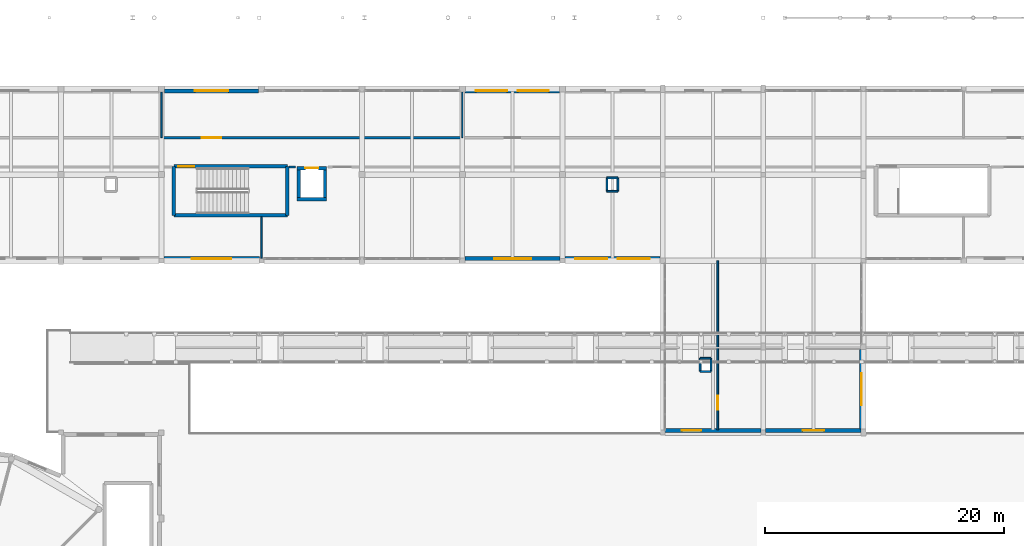
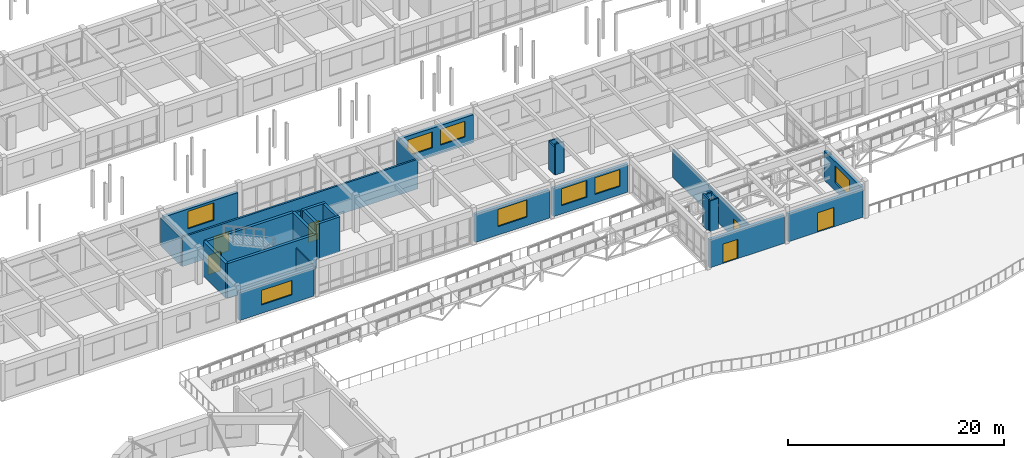
# One storey, part 69 of 90: 30 walls, 8 windows, 6 doors, 14 openings.
"""IFC4 building model written with IfcOpenShell, lengths in metres."""

from ifc_helpers import new_model, si_unit, direction, frame, frame_2d, origin, place, context, subcontext, project, spatial, rectangle, extrude, material, layer, layer_set, type_object, element, fill, save


model = new_model("IFC4")

# Units and contexts
model_context = context("Model", 3, precision=1e-05, world=origin(), true_north=direction((0.0, 1.0)))
body_context = subcontext(model_context, "Body", "Model", "MODEL_VIEW")
ifc_project = project(units=[si_unit("LENGTHUNIT", "METRE"), si_unit("AREAUNIT", "SQUARE_METRE"), si_unit("VOLUMEUNIT", "CUBIC_METRE"), si_unit("PLANEANGLEUNIT", "RADIAN"), si_unit("MASSUNIT", "GRAM", prefix="KILO")], contexts=[model_context])

# Site, building, storey
site_placement = place(None, origin())
site = spatial("IfcSite", under=ifc_project, at=site_placement, CompositionType="ELEMENT")
building_placement = place(site_placement, origin())
building = spatial("IfcBuilding", under=site, at=building_placement, Name="Malvenik Polytechnic", CompositionType="ELEMENT")
storey_placement = place(building_placement, frame((0.0, 0.0, 9.300048828125)))
storey = spatial("IfcBuildingStorey", under=building, at=storey_placement, Name="L02", CompositionType="ELEMENT", Elevation=9.300048828125)

# Wall
ifc_material_1 = material(Name="Concrete C35/45", Category="concrete")
ifc_layer_1 = layer(ifc_material_1, 0.280029296875)
ifc_layer_set_1 = layer_set([ifc_layer_1], Name="Concrete C35/45")
wall_type_1 = type_object("IfcWallType", Name="ARC-CW-S280", PredefinedType="SHEAR", material=ifc_layer_set_1)
wall_1_placement = place(storey_placement, frame((47.43994140625, 55.550048828125, 0.0), z_axis=(0.0, 0.0, 1.0), x_axis=(-1.0, 0.0, 0.0)))
element("IfcWall", 1, at=wall_1_placement, inside=storey, type_object=wall_type_1, Name="Lift Shaft Shear Wall LP-03 L02 -Y", PredefinedType="SHEAR", context=body_context, shape_type="SweptSolid", body=[
    extrude(rectangle(XDim=2.47998046875, YDim=0.280029296875, at=frame_2d((1.239990234375, 0.0))), origin(), (0.0, 0.0, 1.0), 3.93994140625),
])

# Wall, opening, door
wall_2_placement = place(storey_placement, frame((44.9599609375, 58.14990234375, 0.0), z_axis=(0.0, 0.0, 1.0), x_axis=(1.0, 0.0, 0.0)))
wall_2 = element("IfcWall", 2, at=wall_2_placement, inside=storey, type_object=wall_type_1, Name="Lift Shaft Shear Wall LP-03 L02 +Y", PredefinedType="SHEAR", context=body_context, shape_type="SweptSolid", body=[
    extrude(rectangle(XDim=2.47998046875, YDim=0.280029296875, at=frame_2d((1.239990234375, 0.0))), origin(), (0.0, 0.0, 1.0), 3.93994140625),
])
opening_1_placement = place(wall_2_placement, frame((0.68994140625, 0.0, 0.0)))
opening_1 = element("IfcOpeningElement", 3, at=opening_1_placement, cuts=wall_2, Name="Opening LD-01", PredefinedType="OPENING", context=body_context, shape_type="SweptSolid", body=[
    extrude(rectangle(XDim=1.10009765625, YDim=2.14990234375, at=frame_2d((0.550048828125, 1.074951171875))), frame((0.0, 0.14990234375, 0.0), z_axis=(0.0, -1.0, 0.0), x_axis=(1.0, 0.0, 0.0)), (0.0, 0.0, 1.0), 0.300048828125),
])
ifc_material_2 = material(Name="Stainless steel fire-rated sliding lift landing door", Category="steel")
door_type_1 = type_object("IfcDoorType", Name="ARC-LDR-LD-01", OperationType="NOTDEFINED", PredefinedType="DOOR", material=ifc_material_2)
door_1_placement = place(opening_1_placement, origin())
door_1 = element("IfcDoor", 4, at=door_1_placement, inside=storey, type_object=door_type_1, Name="Lift Sliding Landing Door LP-03 L02", OperationType="DOUBLE_DOOR_SLIDING", OverallHeight=2.14990234375, OverallWidth=1.10009765625, PredefinedType="DOOR", context=body_context, shape_type="SweptSolid", body=[
    extrude(rectangle(XDim=1.10009765625, YDim=2.14990234375, at=frame_2d((0.550048828125, 1.074951171875))), frame((0.0, 0.02490234375, 0.0), z_axis=(0.0, -1.0, 0.0), x_axis=(1.0, 0.0, 0.0)), (0.0, 0.0, 1.0), 0.050048828125),
])
fill(opening_1, door_1)

# Walls
for number, where, z_axis, x_axis, name in (
    (5, (45.10009765625, 55.409912109375, 0.0), (0.0, 0.0, 1.0), (0.0, 1.0, 0.0), "Lift Shaft Shear Wall LP-03 L02 -X"),
    (6, (47.300048828125, 58.2900390625, 0.0), (0.0, 0.0, 1.0), (0.0, -1.0, 0.0), "Lift Shaft Shear Wall LP-03 L02 +X"),
):
    element("IfcWall", number, at=place(storey_placement, frame(where, z_axis=z_axis, x_axis=x_axis)), inside=storey, type_object=wall_type_1, Name=name, PredefinedType="SHEAR", context=body_context, shape_type="SweptSolid", body=[
        extrude(rectangle(XDim=2.880126953125, YDim=0.280029296875, at=frame_2d((1.43994140625, 0.0))), origin(), (0.0, 0.0, 1.0), 3.93994140625),
    ])
ifc_layer_2 = layer(ifc_material_1, 0.300048828125)
ifc_layer_set_2 = layer_set([ifc_layer_2], Name="Concrete C35/45")
wall_type_2 = type_object("IfcWallType", Name="ARC-CW-S300", PredefinedType="SHEAR", material=ifc_layer_set_2)
wall_3_placement = place(storey_placement, frame((34.64990234375, 54.199951171875, 0.0), z_axis=(0.0, 0.0, 1.0), x_axis=(0.0, 1.0, 0.0)))
element("IfcWall", 7, at=wall_3_placement, inside=storey, type_object=wall_type_2, Name="Stair Core Shear Wall ST-06 L02 NEAR", PredefinedType="SHEAR", context=body_context, shape_type="SweptSolid", body=[
    extrude(rectangle(XDim=4.10009765625, YDim=0.300048828125, at=frame_2d((2.050048828125, 0.0))), origin(), (0.0, 0.0, 1.0), 3.93994140625),
])

# Wall, opening, door
wall_4_placement = place(storey_placement, frame((34.64990234375, 58.300048828125, 0.0), z_axis=(0.0, 0.0, 1.0), x_axis=(1.0, 0.0, 0.0)))
wall_4 = element("IfcWall", 8, at=wall_4_placement, inside=storey, type_object=wall_type_2, Name="Stair Core Shear Wall ST-06 L02 RGHT", PredefinedType="SHEAR", context=body_context, shape_type="SweptSolid", body=[
    extrude(rectangle(XDim=9.5, YDim=0.300048828125, at=frame_2d((4.75, 0.0))), origin(), (0.0, 0.0, 1.0), 3.93994140625),
])
opening_2_placement = place(wall_4_placement, frame((0.35009765625, 0.0, 0.0)))
opening_2 = element("IfcOpeningElement", 9, at=opening_2_placement, cuts=wall_4, Name="Opening SD-01", PredefinedType="OPENING", context=body_context, shape_type="SweptSolid", body=[
    extrude(rectangle(XDim=1.35009765625, YDim=2.199951171875, at=frame_2d((0.675048828125, 1.10009765625))), frame((0.0, 0.16015625, 0.0), z_axis=(0.0, -1.0, 0.0), x_axis=(1.0, 0.0, 0.0)), (0.0, 0.0, 1.0), 0.320068359375),
])
ifc_material_3 = material(Name="Fire-rated steel stair enclosure door", Category="steel")
door_type_2 = type_object("IfcDoorType", Name="ARC-IDR-SD-01", OperationType="NOTDEFINED", PredefinedType="DOOR", material=ifc_material_3)
door_2_placement = place(opening_2_placement, origin())
door_2 = element("IfcDoor", 10, at=door_2_placement, inside=storey, type_object=door_type_2, Name="Fire Stair Door ST-06 L02", OperationType="SINGLE_SWING_RIGHT", OverallHeight=2.199951171875, OverallWidth=1.35009765625, PredefinedType="DOOR", context=body_context, shape_type="SweptSolid", body=[
    extrude(rectangle(XDim=1.35009765625, YDim=2.199951171875, at=frame_2d((0.675048828125, 1.10009765625))), frame((0.0, 0.02490234375, 0.0), z_axis=(0.0, -1.0, 0.0), x_axis=(1.0, 0.0, 0.0)), (0.0, 0.0, 1.0), 0.050048828125),
])
fill(opening_2, door_2)

# Walls
wall_5_placement = place(storey_placement, frame((44.14990234375, 58.300048828125, 0.0), z_axis=(0.0, 0.0, 1.0), x_axis=(0.0, -1.0, 0.0)))
element("IfcWall", 11, at=wall_5_placement, inside=storey, type_object=wall_type_2, Name="Stair Core Shear Wall ST-06 L02 FAR", PredefinedType="SHEAR", context=body_context, shape_type="SweptSolid", body=[
    extrude(rectangle(XDim=4.10009765625, YDim=0.300048828125, at=frame_2d((2.050048828125, 0.0))), origin(), (0.0, 0.0, 1.0), 3.93994140625),
])
wall_6_placement = place(storey_placement, frame((44.14990234375, 54.199951171875, 0.0), z_axis=(0.0, 0.0, 1.0), x_axis=(-1.0, 0.0, 0.0)))
element("IfcWall", 12, at=wall_6_placement, inside=storey, type_object=wall_type_2, Name="Stair Core Shear Wall ST-06 L02 LEFT", PredefinedType="SHEAR", context=body_context, shape_type="SweptSolid", body=[
    extrude(rectangle(XDim=9.5, YDim=0.300048828125, at=frame_2d((4.75, 0.0))), origin(), (0.0, 0.0, 1.0), 3.93994140625),
])

# Wall, opening, door
ifc_material_4 = material(Name="Concrete C30/37", Category="concrete")
ifc_layer_3 = layer(ifc_material_4, 0.340087890625)
ifc_layer_set_3 = layer_set([ifc_layer_3], Name="Concrete C30/37")
wall_type_3 = type_object("IfcWallType", Name="ARC-EW-340", PredefinedType="SOLIDWALL", material=ifc_layer_set_3)
wall_7_placement = place(storey_placement, frame((92.201904296875, 36.169921875, 0.0), z_axis=(0.0, 0.0, 1.0), x_axis=(-1.0, 0.0, 0.0)))
wall_7 = element("IfcWall", 13, at=wall_7_placement, inside=storey, type_object=wall_type_3, Name="External Facade Wall EW-02 L02 #269", PredefinedType="SOLIDWALL", context=body_context, shape_type="SweptSolid", body=[
    extrude(rectangle(XDim=8.00390625, YDim=0.340087890625, at=frame_2d((4.001953125, 0.0))), origin(), (0.0, 0.0, 1.0), 3.179931640625),
])
opening_3_placement = place(wall_7_placement, frame((3.10205078125, 0.0, 0.0)))
opening_3 = element("IfcOpeningElement", 14, at=opening_3_placement, cuts=wall_7, Name="Opening TD-01", PredefinedType="OPENING", context=body_context, shape_type="SweptSolid", body=[
    extrude(rectangle(XDim=1.800048828125, YDim=2.199951171875, at=frame_2d((0.89990234375, 1.10009765625))), frame((0.0, 0.18017578125, 0.0), z_axis=(0.0, -1.0, 0.0), x_axis=(1.0, 0.0, 0.0)), (0.0, 0.0, 1.0), 0.360107421875),
])
ifc_material_5 = material(Name="Thermally broken glazed aluminium terrace door", Category="aluminium")
door_type_3 = type_object("IfcDoorType", Name="ARC-EDR-TD-01", OperationType="NOTDEFINED", PredefinedType="DOOR", material=ifc_material_5)
door_3_placement = place(opening_3_placement, origin())
door_3 = element("IfcDoor", 15, at=door_3_placement, inside=storey, type_object=door_type_3, Name="External Door TD-01 L02 #38", OperationType="DOUBLE_DOOR_SINGLE_SWING", OverallHeight=2.199951171875, OverallWidth=1.800048828125, PredefinedType="DOOR", context=body_context, shape_type="SweptSolid", body=[
    extrude(rectangle(XDim=1.800048828125, YDim=2.199951171875, at=frame_2d((0.89990234375, 1.10009765625))), frame((0.0, 0.02490234375, 0.0), z_axis=(0.0, -1.0, 0.0), x_axis=(1.0, 0.0, 0.0)), (0.0, 0.0, 1.0), 0.050048828125),
])
fill(opening_3, door_3)

wall_8_placement = place(storey_placement, frame((83.802001953125, 36.169921875, 0.0), z_axis=(0.0, 0.0, 1.0), x_axis=(-1.0, 0.0, 0.0)))
wall_8 = element("IfcWall", 16, at=wall_8_placement, inside=storey, type_object=wall_type_3, Name="External Facade Wall EW-02 L02 #270", PredefinedType="SOLIDWALL", context=body_context, shape_type="SweptSolid", body=[
    extrude(rectangle(XDim=8.00390625, YDim=0.340087890625, at=frame_2d((4.001953125, 0.0))), origin(), (0.0, 0.0, 1.0), 3.179931640625),
])
opening_4_placement = place(wall_8_placement, frame((5.001953125, 0.0, 0.0)))
opening_4 = element("IfcOpeningElement", 17, at=opening_4_placement, cuts=wall_8, Name="Opening TD-02", PredefinedType="OPENING", context=body_context, shape_type="SweptSolid", body=[
    extrude(rectangle(XDim=1.60009765625, YDim=2.199951171875, at=frame_2d((0.800048828125, 1.10009765625))), frame((0.0, 0.18017578125, 0.0), z_axis=(0.0, -1.0, 0.0), x_axis=(1.0, 0.0, 0.0)), (0.0, 0.0, 1.0), 0.360107421875),
])
door_type_4 = type_object("IfcDoorType", Name="ARC-EDR-TD-02", OperationType="NOTDEFINED", PredefinedType="DOOR", material=ifc_material_5)
door_4_placement = place(opening_4_placement, origin())
door_4 = element("IfcDoor", 18, at=door_4_placement, inside=storey, type_object=door_type_4, Name="External Door TD-02 L02 #39", OperationType="DOUBLE_DOOR_SINGLE_SWING", OverallHeight=2.199951171875, OverallWidth=1.60009765625, PredefinedType="DOOR", context=body_context, shape_type="SweptSolid", body=[
    extrude(rectangle(XDim=1.60009765625, YDim=2.199951171875, at=frame_2d((0.800048828125, 1.10009765625))), frame((0.0, 0.02490234375, 0.0), z_axis=(0.0, -1.0, 0.0), x_axis=(1.0, 0.0, 0.0)), (0.0, 0.0, 1.0), 0.050048828125),
])
fill(opening_4, door_4)

# Wall, openings, windows
wall_9_placement = place(storey_placement, frame((75.376953125, 50.570068359375, 0.0), z_axis=(0.0, 0.0, 1.0), x_axis=(-1.0, 0.0, 0.0)))
wall_9 = element("IfcWall", 19, at=wall_9_placement, inside=storey, type_object=wall_type_3, Name="External Facade Wall EW-02 L02 #271", PredefinedType="SOLIDWALL", context=body_context, shape_type="SweptSolid", body=[
    extrude(rectangle(XDim=7.97900390625, YDim=0.340087890625, at=frame_2d((3.989501953125, 0.0))), origin(), (0.0, 0.0, 1.0), 3.179931640625),
])
opening_5_placement = place(wall_9_placement, frame((0.859619140625, 0.0, 0.949951171875)))
opening_5 = element("IfcOpeningElement", 20, at=opening_5_placement, cuts=wall_9, Name="Opening W-27", PredefinedType="OPENING", context=body_context, shape_type="SweptSolid", body=[
    extrude(rectangle(XDim=2.699951171875, YDim=1.89990234375, at=frame_2d((1.35009765625, 0.949951171875))), frame((0.0, 0.18017578125, 0.0), z_axis=(0.0, -1.0, 0.0), x_axis=(1.0, 0.0, 0.0)), (0.0, 0.0, 1.0), 0.360107421875),
])
opening_6_placement = place(wall_9_placement, frame((4.41943359375, 0.0, 0.949951171875)))
opening_6 = element("IfcOpeningElement", 21, at=opening_6_placement, cuts=wall_9, Name="Opening W-27", PredefinedType="OPENING", context=body_context, shape_type="SweptSolid", body=[
    extrude(rectangle(XDim=2.699951171875, YDim=1.89990234375, at=frame_2d((1.35009765625, 0.949951171875))), frame((0.0, 0.18017578125, 0.0), z_axis=(0.0, -1.0, 0.0), x_axis=(1.0, 0.0, 0.0)), (0.0, 0.0, 1.0), 0.360107421875),
])
ifc_material_6 = material(Name="Thermally broken aluminium frame with low-E double glazing", Category="aluminium")
window_type_1 = type_object("IfcWindowType", Name="ARC-WIN-W-27", PartitioningType="SINGLE_PANEL", PredefinedType="WINDOW", material=ifc_material_6)
window_1_placement = place(opening_5_placement, origin())
window_1 = element("IfcWindow", 22, at=window_1_placement, inside=storey, type_object=window_type_1, Name="Punched Window W-27 L02 #235", OverallHeight=1.89990234375, OverallWidth=2.699951171875, PartitioningType="SINGLE_PANEL", PredefinedType="WINDOW", context=body_context, shape_type="SweptSolid", body=[
    extrude(rectangle(XDim=2.699951171875, YDim=1.89990234375, at=frame_2d((1.35009765625, 0.949951171875))), frame((0.0, 0.030029296875, 0.0), z_axis=(0.0, -1.0, 0.0), x_axis=(1.0, 0.0, 0.0)), (0.0, 0.0, 1.0), 0.06005859375),
])
fill(opening_5, window_1)
window_2_placement = place(opening_6_placement, origin())
window_2 = element("IfcWindow", 23, at=window_2_placement, inside=storey, type_object=window_type_1, Name="Punched Window W-27 L02 #236", OverallHeight=1.89990234375, OverallWidth=2.699951171875, PartitioningType="SINGLE_PANEL", PredefinedType="WINDOW", context=body_context, shape_type="SweptSolid", body=[
    extrude(rectangle(XDim=2.699951171875, YDim=1.89990234375, at=frame_2d((1.35009765625, 0.949951171875))), frame((0.0, 0.030029296875, 0.0), z_axis=(0.0, -1.0, 0.0), x_axis=(1.0, 0.0, 0.0)), (0.0, 0.0, 1.0), 0.06005859375),
])
fill(opening_6, window_2)

# Wall, opening, window
wall_10_placement = place(storey_placement, frame((67.001953125, 50.570068359375, 0.0), z_axis=(0.0, 0.0, 1.0), x_axis=(-1.0, 0.0, 0.0)))
wall_10 = element("IfcWall", 24, at=wall_10_placement, inside=storey, type_object=wall_type_3, Name="External Facade Wall EW-02 L02 #272", PredefinedType="SOLIDWALL", context=body_context, shape_type="SweptSolid", body=[
    extrude(rectangle(XDim=7.97900390625, YDim=0.340087890625, at=frame_2d((3.989501953125, 0.0))), origin(), (0.0, 0.0, 1.0), 3.179931640625),
])
opening_7_placement = place(wall_10_placement, frame((2.439453125, 0.0, 0.949951171875)))
opening_7 = element("IfcOpeningElement", 25, at=opening_7_placement, cuts=wall_10, Name="Opening W-29", PredefinedType="OPENING", context=body_context, shape_type="SweptSolid", body=[
    extrude(rectangle(XDim=3.10009765625, YDim=1.949951171875, at=frame_2d((1.550048828125, 0.97509765625))), frame((0.0, 0.18017578125, 0.0), z_axis=(0.0, -1.0, 0.0), x_axis=(1.0, 0.0, 0.0)), (0.0, 0.0, 1.0), 0.360107421875),
])
window_type_2 = type_object("IfcWindowType", Name="ARC-WIN-W-29", PartitioningType="SINGLE_PANEL", PredefinedType="WINDOW", material=ifc_material_6)
window_3_placement = place(opening_7_placement, origin())
window_3 = element("IfcWindow", 26, at=window_3_placement, inside=storey, type_object=window_type_2, Name="Punched Window W-29 L02 #237", OverallHeight=1.949951171875, OverallWidth=3.10009765625, PartitioningType="SINGLE_PANEL", PredefinedType="WINDOW", context=body_context, shape_type="SweptSolid", body=[
    extrude(rectangle(XDim=3.10009765625, YDim=1.949951171875, at=frame_2d((1.550048828125, 0.97509765625))), frame((0.0, 0.030029296875, 0.0), z_axis=(0.0, -1.0, 0.0), x_axis=(1.0, 0.0, 0.0)), (0.0, 0.0, 1.0), 0.06005859375),
])
fill(opening_7, window_3)

wall_11_placement = place(storey_placement, frame((41.802001953125, 50.570068359375, 0.0), z_axis=(0.0, 0.0, 1.0), x_axis=(-1.0, 0.0, 0.0)))
wall_11 = element("IfcWall", 27, at=wall_11_placement, inside=storey, type_object=wall_type_3, Name="External Facade Wall EW-02 L02 #273", PredefinedType="SOLIDWALL", context=body_context, shape_type="SweptSolid", body=[
    extrude(rectangle(XDim=8.00390625, YDim=0.340087890625, at=frame_2d((4.001953125, 0.0))), origin(), (0.0, 0.0, 1.0), 3.179931640625),
])
opening_8_placement = place(wall_11_placement, frame((2.35205078125, 0.0, 0.949951171875)))
opening_8 = element("IfcOpeningElement", 28, at=opening_8_placement, cuts=wall_11, Name="Opening W-30", PredefinedType="OPENING", context=body_context, shape_type="SweptSolid", body=[
    extrude(rectangle(XDim=3.300048828125, YDim=1.64990234375, at=frame_2d((1.64990234375, 0.824951171875))), frame((0.0, 0.18017578125, 0.0), z_axis=(0.0, -1.0, 0.0), x_axis=(1.0, 0.0, 0.0)), (0.0, 0.0, 1.0), 0.360107421875),
])
window_type_3 = type_object("IfcWindowType", Name="ARC-WIN-W-30", PartitioningType="SINGLE_PANEL", PredefinedType="WINDOW", material=ifc_material_6)
window_4_placement = place(opening_8_placement, origin())
window_4 = element("IfcWindow", 29, at=window_4_placement, inside=storey, type_object=window_type_3, Name="Punched Window W-30 L02 #238", OverallHeight=1.64990234375, OverallWidth=3.300048828125, PartitioningType="SINGLE_PANEL", PredefinedType="WINDOW", context=body_context, shape_type="SweptSolid", body=[
    extrude(rectangle(XDim=3.300048828125, YDim=1.64990234375, at=frame_2d((1.64990234375, 0.824951171875))), frame((0.0, 0.030029296875, 0.0), z_axis=(0.0, -1.0, 0.0), x_axis=(1.0, 0.0, 0.0)), (0.0, 0.0, 1.0), 0.06005859375),
])
fill(opening_8, window_4)

wall_12_placement = place(storey_placement, frame((33.847900390625, 64.6298828125, 0.0), z_axis=(0.0, 0.0, 1.0), x_axis=(1.0, 0.0, 0.0)))
wall_12 = element("IfcWall", 30, at=wall_12_placement, inside=storey, type_object=wall_type_3, Name="External Facade Wall EW-02 L02 #282", PredefinedType="SOLIDWALL", context=body_context, shape_type="SweptSolid", body=[
    extrude(rectangle(XDim=7.904052734375, YDim=0.340087890625, at=frame_2d((3.9521484375, 0.0))), origin(), (0.0, 0.0, 1.0), 3.179931640625),
])
opening_9_placement = place(wall_12_placement, frame((2.552001953125, 0.0, 0.949951171875)))
opening_9 = element("IfcOpeningElement", 31, at=opening_9_placement, cuts=wall_12, Name="Opening W-10", PredefinedType="OPENING", context=body_context, shape_type="SweptSolid", body=[
    extrude(rectangle(XDim=2.800048828125, YDim=1.97998046875, at=frame_2d((1.39990234375, 0.989990234375))), frame((0.0, 0.18017578125, 0.0), z_axis=(0.0, -1.0, 0.0), x_axis=(1.0, 0.0, 0.0)), (0.0, 0.0, 1.0), 0.360107421875),
])
window_type_4 = type_object("IfcWindowType", Name="ARC-WIN-W-10", PartitioningType="SINGLE_PANEL", PredefinedType="WINDOW", material=ifc_material_6)
window_5_placement = place(opening_9_placement, origin())
window_5 = element("IfcWindow", 32, at=window_5_placement, inside=storey, type_object=window_type_4, Name="Punched Window W-10 L02 #250", OverallHeight=1.97998046875, OverallWidth=2.800048828125, PartitioningType="SINGLE_PANEL", PredefinedType="WINDOW", context=body_context, shape_type="SweptSolid", body=[
    extrude(rectangle(XDim=2.800048828125, YDim=1.97998046875, at=frame_2d((1.39990234375, 0.989990234375))), frame((0.0, 0.030029296875, 0.0), z_axis=(0.0, -1.0, 0.0), x_axis=(1.0, 0.0, 0.0)), (0.0, 0.0, 1.0), 0.06005859375),
])
fill(opening_9, window_5)

# Wall, openings, windows
wall_13_placement = place(storey_placement, frame((59.048095703125, 64.6298828125, 0.0), z_axis=(0.0, 0.0, 1.0), x_axis=(1.0, 0.0, 0.0)))
wall_13 = element("IfcWall", 33, at=wall_13_placement, inside=storey, type_object=wall_type_3, Name="External Facade Wall EW-02 L02 #283", PredefinedType="SOLIDWALL", context=body_context, shape_type="SweptSolid", body=[
    extrude(rectangle(XDim=7.90380859375, YDim=0.340087890625, at=frame_2d((3.951904296875, 0.0))), origin(), (0.0, 0.0, 1.0), 3.179931640625),
])
opening_10_placement = place(wall_13_placement, frame((0.9013671875, 0.0, 0.949951171875)))
opening_10 = element("IfcOpeningElement", 34, at=opening_10_placement, cuts=wall_13, Name="Opening W-11", PredefinedType="OPENING", context=body_context, shape_type="SweptSolid", body=[
    extrude(rectangle(XDim=2.60009765625, YDim=1.800048828125, at=frame_2d((1.300048828125, 0.89990234375))), frame((0.0, 0.18017578125, 0.0), z_axis=(0.0, -1.0, 0.0), x_axis=(1.0, 0.0, 0.0)), (0.0, 0.0, 1.0), 0.360107421875),
])
opening_11_placement = place(wall_13_placement, frame((4.402587890625, 0.0, 0.949951171875)))
opening_11 = element("IfcOpeningElement", 35, at=opening_11_placement, cuts=wall_13, Name="Opening W-11", PredefinedType="OPENING", context=body_context, shape_type="SweptSolid", body=[
    extrude(rectangle(XDim=2.60009765625, YDim=1.800048828125, at=frame_2d((1.300048828125, 0.89990234375))), frame((0.0, 0.18017578125, 0.0), z_axis=(0.0, -1.0, 0.0), x_axis=(1.0, 0.0, 0.0)), (0.0, 0.0, 1.0), 0.360107421875),
])
window_type_5 = type_object("IfcWindowType", Name="ARC-WIN-W-11", PartitioningType="SINGLE_PANEL", PredefinedType="WINDOW", material=ifc_material_6)
window_6_placement = place(opening_10_placement, origin())
window_6 = element("IfcWindow", 36, at=window_6_placement, inside=storey, type_object=window_type_5, Name="Punched Window W-11 L02 #251", OverallHeight=1.800048828125, OverallWidth=2.60009765625, PartitioningType="SINGLE_PANEL", PredefinedType="WINDOW", context=body_context, shape_type="SweptSolid", body=[
    extrude(rectangle(XDim=2.60009765625, YDim=1.800048828125, at=frame_2d((1.300048828125, 0.89990234375))), frame((0.0, 0.030029296875, 0.0), z_axis=(0.0, -1.0, 0.0), x_axis=(1.0, 0.0, 0.0)), (0.0, 0.0, 1.0), 0.06005859375),
])
fill(opening_10, window_6)
window_7_placement = place(opening_11_placement, origin())
window_7 = element("IfcWindow", 37, at=window_7_placement, inside=storey, type_object=window_type_5, Name="Punched Window W-11 L02 #252", OverallHeight=1.800048828125, OverallWidth=2.60009765625, PartitioningType="SINGLE_PANEL", PredefinedType="WINDOW", context=body_context, shape_type="SweptSolid", body=[
    extrude(rectangle(XDim=2.60009765625, YDim=1.800048828125, at=frame_2d((1.300048828125, 0.89990234375))), frame((0.0, 0.030029296875, 0.0), z_axis=(0.0, -1.0, 0.0), x_axis=(1.0, 0.0, 0.0)), (0.0, 0.0, 1.0), 0.06005859375),
])
fill(opening_11, window_7)

# Wall, opening, window
wall_14_placement = place(storey_placement, frame((92.22998046875, 42.97705078125, 0.0), z_axis=(0.0, 0.0, 1.0), x_axis=(0.0, -1.0, 0.0)))
wall_14 = element("IfcWall", 38, at=wall_14_placement, inside=storey, type_object=wall_type_3, Name="External Facade Wall EW-02 L02 #294", PredefinedType="SOLIDWALL", context=body_context, shape_type="SweptSolid", body=[
    extrude(rectangle(XDim=6.678955078125, YDim=0.340087890625, at=frame_2d((3.33935546875, 0.0))), origin(), (0.0, 0.0, 1.0), 3.329833984375),
])
opening_12_placement = place(wall_14_placement, frame((1.989501953125, 0.0, 0.949951171875)))
opening_12 = element("IfcOpeningElement", 39, at=opening_12_placement, cuts=wall_14, Name="Opening W-27", PredefinedType="OPENING", context=body_context, shape_type="SweptSolid", body=[
    extrude(rectangle(XDim=2.699951171875, YDim=1.89990234375, at=frame_2d((1.35009765625, 0.949951171875))), frame((0.0, 0.18017578125, 0.0), z_axis=(0.0, -1.0, 0.0), x_axis=(1.0, 0.0, 0.0)), (0.0, 0.0, 1.0), 0.360107421875),
])
window_8_placement = place(opening_12_placement, origin())
window_8 = element("IfcWindow", 40, at=window_8_placement, inside=storey, type_object=window_type_1, Name="Punched Window W-27 L02 #267", OverallHeight=1.89990234375, OverallWidth=2.699951171875, PartitioningType="SINGLE_PANEL", PredefinedType="WINDOW", context=body_context, shape_type="SweptSolid", body=[
    extrude(rectangle(XDim=2.699951171875, YDim=1.89990234375, at=frame_2d((1.35009765625, 0.949951171875))), frame((0.0, 0.030029296875, 0.0), z_axis=(0.0, -1.0, 0.0), x_axis=(1.0, 0.0, 0.0)), (0.0, 0.0, 1.0), 0.06005859375),
])
fill(opening_12, window_8)

# Wall, opening, door
ifc_material_7 = material(Name="Calcium silicate fire-rated blockwork 200mm", Category="masonry")
ifc_layer_4 = layer(ifc_material_7, 0.199951171875)
ifc_layer_set_4 = layer_set([ifc_layer_4], Name="Calcium silicate fire-rated blockwork 200mm")
wall_type_4 = type_object("IfcWallType", Name="ARC-FW-200", PredefinedType="SOLIDWALL", material=ifc_layer_set_4)
wall_15_placement = place(storey_placement, frame((33.60009765625, 60.699951171875, 0.0), z_axis=(0.0, 0.0, 1.0), x_axis=(1.0, 0.0, 0.0)))
wall_15 = element("IfcWall", 41, at=wall_15_placement, inside=storey, type_object=wall_type_4, Name="Interior Partition FW-02 L02 #286", PredefinedType="SOLIDWALL", context=body_context, shape_type="SweptSolid", body=[
    extrude(rectangle(XDim=25.199951171875, YDim=0.199951171875, at=frame_2d((12.60009765625, 0.0))), origin(), (0.0, 0.0, 1.0), 3.324951171875),
])
opening_13_placement = place(wall_15_placement, frame((3.375, 0.0, 0.0)))
opening_13 = element("IfcOpeningElement", 42, at=opening_13_placement, cuts=wall_15, Name="Opening FD-03", PredefinedType="OPENING", context=body_context, shape_type="SweptSolid", body=[
    extrude(rectangle(XDim=1.64990234375, YDim=2.199951171875, at=frame_2d((0.824951171875, 1.10009765625))), frame((0.0, 0.10986328125, 0.0), z_axis=(0.0, -1.0, 0.0), x_axis=(1.0, 0.0, 0.0)), (0.0, 0.0, 1.0), 0.219970703125),
])
ifc_material_8 = material(Name="Fire-rated double-leaf laboratory door", Category="steel")
door_type_5 = type_object("IfcDoorType", Name="ARC-IDR-FD-03", OperationType="NOTDEFINED", PredefinedType="DOOR", material=ifc_material_8)
door_5_placement = place(opening_13_placement, origin())
door_5 = element("IfcDoor", 43, at=door_5_placement, inside=storey, type_object=door_type_5, Name="Interior Door FD-03 L02 #121", OperationType="DOUBLE_DOOR_SINGLE_SWING", OverallHeight=2.199951171875, OverallWidth=1.64990234375, PredefinedType="DOOR", context=body_context, shape_type="SweptSolid", body=[
    extrude(rectangle(XDim=1.64990234375, YDim=2.199951171875, at=frame_2d((0.824951171875, 1.10009765625))), frame((0.0, 0.02490234375, 0.0), z_axis=(0.0, -1.0, 0.0), x_axis=(1.0, 0.0, 0.0)), (0.0, 0.0, 1.0), 0.050048828125),
])
fill(opening_13, door_5)

# Walls
wall_16_placement = place(storey_placement, frame((44.830078125, 58.25, 0.0), z_axis=(0.0, 0.0, 1.0), x_axis=(-1.0, 0.0, 0.0)))
element("IfcWall", 44, at=wall_16_placement, inside=storey, type_object=wall_type_4, Name="Interior Partition FW-02 L02 #294", PredefinedType="SOLIDWALL", context=body_context, shape_type="SweptSolid", body=[
    extrude(rectangle(XDim=0.5400390625, YDim=0.199951171875, at=frame_2d((0.27001953125, 0.0))), origin(), (0.0, 0.0, 1.0), 3.849853515625),
])
ifc_material_9 = material(Name="Lightweight gypsum partition 110mm", Category="gypsum")
ifc_layer_5 = layer(ifc_material_9, 0.110107421875)
ifc_layer_set_5 = layer_set([ifc_layer_5], Name="Lightweight gypsum partition 110mm")
wall_type_5 = type_object("IfcWallType", Name="ARC-PW-110", PredefinedType="PARTITIONING", material=ifc_layer_set_5)
wall_17_placement = place(storey_placement, frame((58.800048828125, 60.699951171875, 0.0), z_axis=(0.0, 0.0, 1.0), x_axis=(0.0, 1.0, 0.0)))
element("IfcWall", 45, at=wall_17_placement, inside=storey, type_object=wall_type_5, Name="Interior Partition PW-04I L02 #287", PredefinedType="PARTITIONING", context=body_context, shape_type="SweptSolid", body=[
    extrude(rectangle(XDim=3.830078125, YDim=0.110107421875, at=frame_2d((1.9150390625, 0.0))), origin(), (0.0, 0.0, 1.0), 3.175048828125),
])
ifc_material_10 = material(Name="Metal-stud gypsum board partition 125mm", Category="gypsum")
ifc_layer_6 = layer(ifc_material_10, 0.125)
ifc_layer_set_6 = layer_set([ifc_layer_6], Name="Metal-stud gypsum board partition 125mm")
wall_type_6 = type_object("IfcWallType", Name="ARC-PW-125", PredefinedType="PARTITIONING", material=ifc_layer_set_6)
wall_18_placement = place(storey_placement, frame((42.0, 50.6201171875, 0.0), z_axis=(0.0, 0.0, 1.0), x_axis=(0.0, 1.0, 0.0)))
element("IfcWall", 46, at=wall_18_placement, inside=storey, type_object=wall_type_6, Name="Interior Partition PW-03I L02 #292", PredefinedType="PARTITIONING", context=body_context, shape_type="SweptSolid", body=[
    extrude(rectangle(XDim=3.43994140625, YDim=0.125, at=frame_2d((1.719970703125, 0.0))), origin(), (0.0, 0.0, 1.0), 3.175048828125),
])
ifc_material_11 = material(Name="Acoustic metal-stud gypsum partition 140mm", Category="gypsum")
ifc_layer_7 = layer(ifc_material_11, 0.139892578125)
ifc_layer_set_7 = layer_set([ifc_layer_7], Name="Acoustic metal-stud gypsum partition 140mm")
wall_type_7 = type_object("IfcWallType", Name="ARC-PW-140", PredefinedType="PARTITIONING", material=ifc_layer_set_7)
wall_19_placement = place(storey_placement, frame((33.60009765625, 60.699951171875, 0.0), z_axis=(0.0, 0.0, 1.0), x_axis=(0.0, 1.0, 0.0)))
element("IfcWall", 47, at=wall_19_placement, inside=storey, type_object=wall_type_7, Name="Interior Partition PW-02I L02 #285", PredefinedType="PARTITIONING", context=body_context, shape_type="SweptSolid", body=[
    extrude(rectangle(XDim=3.830078125, YDim=0.139892578125, at=frame_2d((1.9150390625, 0.0))), origin(), (0.0, 0.0, 1.0), 3.175048828125),
])
ifc_material_12 = material(Name="Double-stud acoustic gypsum board partition 160mm", Category="gypsum")
ifc_layer_8 = layer(ifc_material_12, 0.159912109375)
ifc_layer_set_8 = layer_set([ifc_layer_8], Name="Double-stud acoustic gypsum board partition 160mm")
wall_type_8 = type_object("IfcWallType", Name="ARC-PW-160", PredefinedType="PARTITIONING", material=ifc_layer_set_8)
wall_20_placement = place(storey_placement, frame((70.919921875, 56.219970703125, 0.0), z_axis=(0.0, 0.0, 1.0), x_axis=(1.0, 0.0, 0.0)))
element("IfcWall", 48, at=wall_20_placement, inside=storey, type_object=wall_type_8, Name="Riser Shaft Enclosure L02 #35S", PredefinedType="PARTITIONING", context=body_context, shape_type="SweptSolid", body=[
    extrude(rectangle(XDim=0.91015625, YDim=0.159912109375, at=frame_2d((0.455078125, 0.0))), origin(), (0.0, 0.0, 1.0), 3.474853515625),
])
wall_21_placement = place(storey_placement, frame((71.830078125, 57.330078125, 0.0), z_axis=(0.0, 0.0, 1.0), x_axis=(-1.0, 0.0, 0.0)))
element("IfcWall", 49, at=wall_21_placement, inside=storey, type_object=wall_type_8, Name="Riser Shaft Enclosure L02 #35N", PredefinedType="PARTITIONING", context=body_context, shape_type="SweptSolid", body=[
    extrude(rectangle(XDim=0.91015625, YDim=0.159912109375, at=frame_2d((0.455078125, 0.0))), origin(), (0.0, 0.0, 1.0), 3.175048828125),
])
for number, where, z_axis, x_axis, name in (
    (50, (70.919921875, 57.330078125, 0.0), (0.0, 0.0, 1.0), (0.0, -1.0, 0.0), "Riser Shaft Enclosure L02 #35W"),
    (51, (71.830078125, 56.219970703125, 0.0), (0.0, 0.0, 1.0), (0.0, 1.0, 0.0), "Riser Shaft Enclosure L02 #35E"),
):
    element("IfcWall", number, at=place(storey_placement, frame(where, z_axis=z_axis, x_axis=x_axis)), inside=storey, type_object=wall_type_8, Name=name, PredefinedType="PARTITIONING", context=body_context, shape_type="SweptSolid", body=[
        extrude(rectangle(XDim=1.110107421875, YDim=0.159912109375, at=frame_2d((0.55517578125, 0.0))), origin(), (0.0, 0.0, 1.0), 3.175048828125),
    ])
for number, where, z_axis, x_axis, name in (
    (52, (78.719970703125, 41.1201171875, 0.0), (0.0, 0.0, 1.0), (1.0, 0.0, 0.0), "Riser Shaft Enclosure L02 #37S"),
    (53, (79.6298828125, 42.22998046875, 0.0), (0.0, 0.0, 1.0), (-1.0, 0.0, 0.0), "Riser Shaft Enclosure L02 #37N"),
):
    element("IfcWall", number, at=place(storey_placement, frame(where, z_axis=z_axis, x_axis=x_axis)), inside=storey, type_object=wall_type_8, Name=name, PredefinedType="PARTITIONING", context=body_context, shape_type="SweptSolid", body=[
        extrude(rectangle(XDim=0.909912109375, YDim=0.159912109375, at=frame_2d((0.455078125, 0.0))), origin(), (0.0, 0.0, 1.0), 3.474853515625),
    ])
wall_22_placement = place(storey_placement, frame((78.719970703125, 42.22998046875, 0.0), z_axis=(0.0, 0.0, 1.0), x_axis=(0.0, -1.0, 0.0)))
element("IfcWall", 54, at=wall_22_placement, inside=storey, type_object=wall_type_8, Name="Riser Shaft Enclosure L02 #37W", PredefinedType="PARTITIONING", context=body_context, shape_type="SweptSolid", body=[
    extrude(rectangle(XDim=1.10986328125, YDim=0.159912109375, at=frame_2d((0.554931640625, 0.0))), origin(), (0.0, 0.0, 1.0), 3.64990234375),
])
wall_23_placement = place(storey_placement, frame((79.6298828125, 41.1201171875, 0.0), z_axis=(0.0, 0.0, 1.0), x_axis=(0.0, 1.0, 0.0)))
element("IfcWall", 55, at=wall_23_placement, inside=storey, type_object=wall_type_8, Name="Riser Shaft Enclosure L02 #37E", PredefinedType="PARTITIONING", context=body_context, shape_type="SweptSolid", body=[
    extrude(rectangle(XDim=1.10986328125, YDim=0.159912109375, at=frame_2d((0.554931640625, 0.0))), origin(), (0.0, 0.0, 1.0), 3.474853515625),
])

# Wall, opening, door
wall_24_placement = place(storey_placement, frame((80.199951171875, 36.219970703125, 0.0), z_axis=(0.0, 0.0, 1.0), x_axis=(0.0, 1.0, 0.0)))
wall_24 = element("IfcWall", 56, at=wall_24_placement, inside=storey, type_object=wall_type_8, Name="Interior Partition PW-01I L02 #297", PredefinedType="PARTITIONING", context=body_context, shape_type="SweptSolid", body=[
    extrude(rectangle(XDim=14.179931640625, YDim=0.159912109375, at=frame_2d((7.08984375, 0.0))), origin(), (0.0, 0.0, 1.0), 3.175048828125),
])
opening_14_placement = place(wall_24_placement, frame((1.679931640625, 0.0, 0.0)))
opening_14 = element("IfcOpeningElement", 57, at=opening_14_placement, cuts=wall_24, Name="Opening FD-10", PredefinedType="OPENING", context=body_context, shape_type="SweptSolid", body=[
    extrude(rectangle(XDim=1.199951171875, YDim=2.14990234375, at=frame_2d((0.60009765625, 1.074951171875))), frame((0.0, 0.08984375, 0.0), z_axis=(0.0, -1.0, 0.0), x_axis=(1.0, 0.0, 0.0)), (0.0, 0.0, 1.0), 0.179931640625),
])
ifc_material_13 = material(Name="Fire-rated laboratory corridor door", Category="steel")
door_type_6 = type_object("IfcDoorType", Name="ARC-IDR-FD-10", OperationType="NOTDEFINED", PredefinedType="DOOR", material=ifc_material_13)
door_6_placement = place(opening_14_placement, origin())
door_6 = element("IfcDoor", 58, at=door_6_placement, inside=storey, type_object=door_type_6, Name="Interior Door FD-10 L02 #127", OperationType="SINGLE_SWING_LEFT", OverallHeight=2.14990234375, OverallWidth=1.199951171875, PredefinedType="DOOR", context=body_context, shape_type="SweptSolid", body=[
    extrude(rectangle(XDim=1.199951171875, YDim=2.14990234375, at=frame_2d((0.60009765625, 1.074951171875))), frame((0.0, 0.02490234375, 0.0), z_axis=(0.0, -1.0, 0.0), x_axis=(1.0, 0.0, 0.0)), (0.0, 0.0, 1.0), 0.050048828125),
])
fill(opening_14, door_6)

save(model, "model.ifc")
